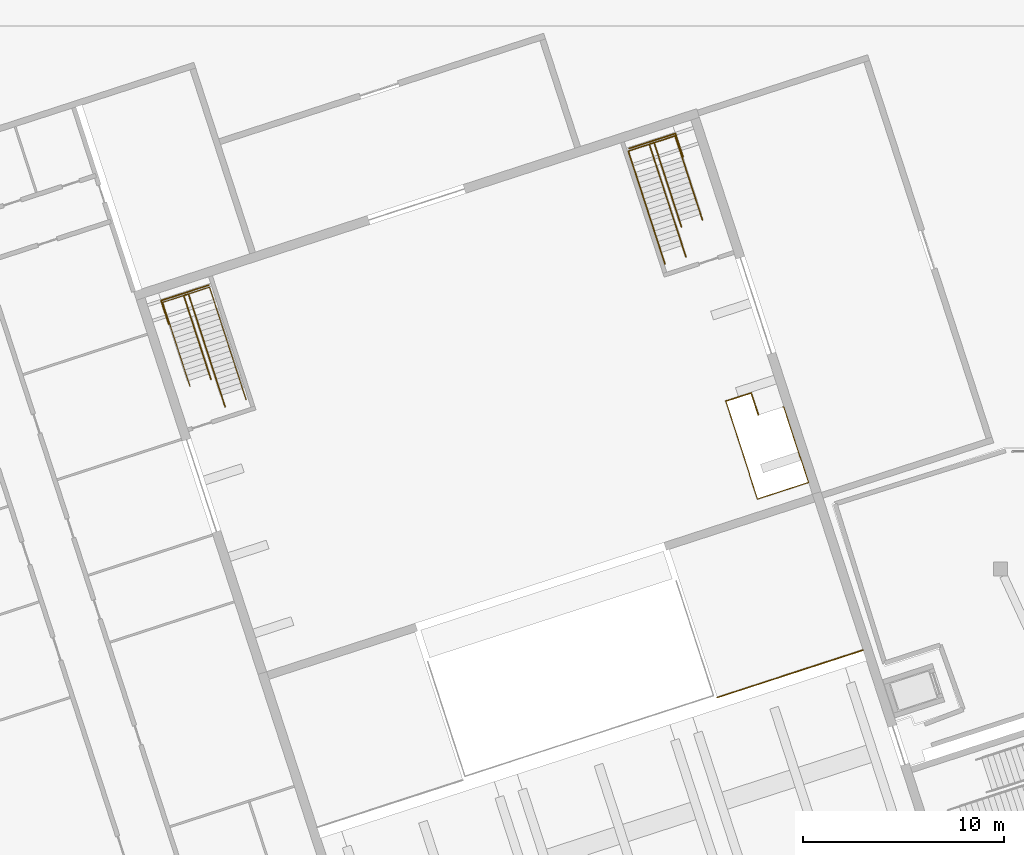
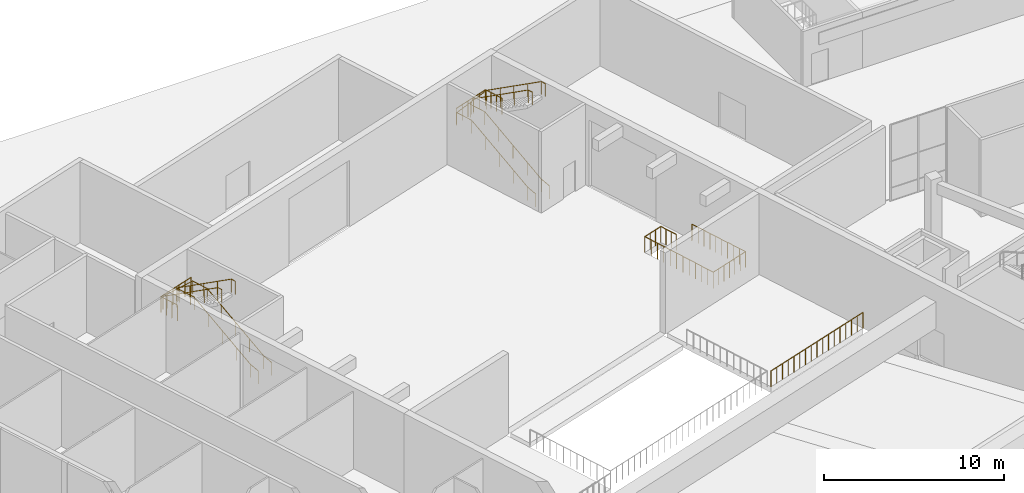
# One storey, part 67 of 72: 11 railings.
"""IFC4 building model written with IfcOpenShell, lengths in metres."""

from ifc_helpers import new_model, si_unit, direction, frame, origin, origin_2d, place, context, subcontext, project, spatial, circle, extrude, material, type_object, element, save


model = new_model("IFC4")

# Units and contexts
model_context = context("Model", 3, precision=1e-05, world=origin(), true_north=direction((0.0, 1.0)))
body_context = subcontext(model_context, "Body", "Model", "MODEL_VIEW")
ifc_project = project(units=[si_unit("LENGTHUNIT", "METRE"), si_unit("AREAUNIT", "SQUARE_METRE"), si_unit("VOLUMEUNIT", "CUBIC_METRE"), si_unit("PLANEANGLEUNIT", "RADIAN"), si_unit("MASSUNIT", "GRAM", prefix="KILO")], contexts=[model_context])

# Site, building, storey
site_placement = place(None, origin())
site = spatial("IfcSite", under=ifc_project, at=site_placement, CompositionType="ELEMENT")
building_placement = place(site_placement, origin())
building = spatial("IfcBuilding", under=site, at=building_placement, Name="Tuart Plaza Theatre", CompositionType="ELEMENT")
storey_placement = place(building_placement, origin())
storey = spatial("IfcBuildingStorey", under=building, at=storey_placement, Name="L00", CompositionType="ELEMENT", Elevation=0.0)

# Railings
ifc_material_1 = material(Name="Steel Grade C350L0", Category="steel")
railing_type_1 = type_object("IfcRailingType", Name="RAILING Guard 1100", PredefinedType="GUARDRAIL", material=ifc_material_1)
railing_1_placement = place(storey_placement, frame((38.620849609375, 88.12109375, 2.75)))
element("IfcRailing", 1, at=railing_1_placement, inside=storey, type_object=railing_type_1, Name="GR50", PredefinedType="GUARDRAIL", context=body_context, shape_type="SweptSolid", body=[
    extrude(circle(Radius=0.02490234375, at=origin_2d()), frame((0.0, 0.0, 1.0751953125), z_axis=(-0.951053482983, -0.309026329793, 0.0), x_axis=(0.309026329793, -0.951053482983, 0.0)), (0.0, 0.0, 1.0), 2.494873046875),
    extrude(circle(Radius=0.02001953125, at=origin_2d()), origin(), (0.0, 0.0, 1.0), 1.050048828125),
    extrude(circle(Radius=0.02001953125, at=origin_2d()), frame((-0.474609375, -0.154296875, 0.0)), (0.0, 0.0, 1.0), 1.050048828125),
    extrude(circle(Radius=0.02001953125, at=origin_2d()), frame((-0.94921875, -0.308349609375, 0.0)), (0.0, 0.0, 1.0), 1.050048828125),
    extrude(circle(Radius=0.02001953125, at=origin_2d()), frame((-1.423583984375, -0.462646484375, 0.0)), (0.0, 0.0, 1.0), 1.050048828125),
    extrude(circle(Radius=0.02001953125, at=origin_2d()), frame((-1.898193359375, -0.61669921875, 0.0)), (0.0, 0.0, 1.0), 1.050048828125),
    extrude(circle(Radius=0.02001953125, at=origin_2d()), frame((-2.372802734375, -0.77099609375, 0.0)), (0.0, 0.0, 1.0), 1.050048828125),
])
railing_2_placement = place(storey_placement, frame((36.248046875, 87.35009765625, 2.75)))
element("IfcRailing", 2, at=railing_2_placement, inside=storey, type_object=railing_type_1, Name="GR51", PredefinedType="GUARDRAIL", context=body_context, shape_type="SweptSolid", body=[
    extrude(circle(Radius=0.02490234375, at=origin_2d()), frame((0.0, 0.0, 1.0751953125), z_axis=(0.309014268544, -0.951057401967, 0.0), x_axis=(0.951057401967, 0.309014268544, 0.0)), (0.0, 0.0, 1.0), 1.230224609375),
    extrude(circle(Radius=0.02001953125, at=origin_2d()), origin(), (0.0, 0.0, 1.0), 1.050048828125),
    extrude(circle(Radius=0.02001953125, at=origin_2d()), frame((0.126708984375, -0.389892578125, 0.0)), (0.0, 0.0, 1.0), 1.050048828125),
    extrude(circle(Radius=0.02001953125, at=origin_2d()), frame((0.25341796875, -0.780029296875, 0.0)), (0.0, 0.0, 1.0), 1.050048828125),
    extrude(circle(Radius=0.02001953125, at=origin_2d()), frame((0.380126953125, -1.169921875, 0.0)), (0.0, 0.0, 1.0), 1.050048828125),
])
railing_3_placement = place(storey_placement, frame((59.53466796875, 94.916259765625, 2.75)))
element("IfcRailing", 3, at=railing_3_placement, inside=storey, type_object=railing_type_1, Name="GR74", PredefinedType="GUARDRAIL", context=body_context, shape_type="SweptSolid", body=[
    extrude(circle(Radius=0.02490234375, at=origin_2d()), frame((0.0, 0.0, 1.0751953125), z_axis=(0.95105704929, 0.309015353981, 0.0), x_axis=(-0.309015353981, 0.95105704929, 0.0)), (0.0, 0.0, 1.0), 2.419921875),
    extrude(circle(Radius=0.02001953125, at=origin_2d()), origin(), (0.0, 0.0, 1.0), 1.050048828125),
    extrude(circle(Radius=0.02001953125, at=origin_2d()), frame((0.460205078125, 0.149658203125, 0.0)), (0.0, 0.0, 1.0), 1.050048828125),
    extrude(circle(Radius=0.02001953125, at=origin_2d()), frame((0.920654296875, 0.299072265625, 0.0)), (0.0, 0.0, 1.0), 1.050048828125),
    extrude(circle(Radius=0.02001953125, at=origin_2d()), frame((1.380859375, 0.44873046875, 0.0)), (0.0, 0.0, 1.0), 1.050048828125),
    extrude(circle(Radius=0.02001953125, at=origin_2d()), frame((1.84130859375, 0.59814453125, 0.0)), (0.0, 0.0, 1.0), 1.050048828125),
    extrude(circle(Radius=0.02001953125, at=origin_2d()), frame((2.301513671875, 0.747802734375, 0.0)), (0.0, 0.0, 1.0), 1.050048828125),
])
railing_4_placement = place(storey_placement, frame((61.836181640625, 95.6640625, 2.75)))
element("IfcRailing", 4, at=railing_4_placement, inside=storey, type_object=railing_type_1, Name="GR75", PredefinedType="GUARDRAIL", context=body_context, shape_type="SweptSolid", body=[
    extrude(circle(Radius=0.02490234375, at=origin_2d()), frame((0.0, 0.0, 1.0751953125), z_axis=(0.309072606719, -0.951038444952, 0.0), x_axis=(0.951038444952, 0.309072606719, 0.0)), (0.0, 0.0, 1.0), 1.22998046875),
    extrude(circle(Radius=0.02001953125, at=origin_2d()), origin(), (0.0, 0.0, 1.0), 1.050048828125),
    extrude(circle(Radius=0.02001953125, at=origin_2d()), frame((0.126708984375, -0.389892578125, 0.0)), (0.0, 0.0, 1.0), 1.050048828125),
    extrude(circle(Radius=0.02001953125, at=origin_2d()), frame((0.25341796875, -0.77978515625, 0.0)), (0.0, 0.0, 1.0), 1.050048828125),
    extrude(circle(Radius=0.02001953125, at=origin_2d()), frame((0.380126953125, -1.169677734375, 0.0)), (0.0, 0.0, 1.0), 1.050048828125),
])
railing_5_placement = place(storey_placement, frame((64.346435546875, 82.34814453125, 0.0)))
element("IfcRailing", 5, at=railing_5_placement, inside=storey, type_object=railing_type_1, Name="GR96", PredefinedType="GUARDRAIL", context=body_context, shape_type="SweptSolid", body=[
    extrude(circle(Radius=0.02490234375, at=origin_2d()), frame((0.0, 0.0, 1.0751953125), z_axis=(0.951069265833, 0.308977752577, 0.0), x_axis=(-0.308977752577, 0.951069265833, 0.0)), (0.0, 0.0, 1.0), 1.3251953125),
    extrude(circle(Radius=0.02490234375, at=origin_2d()), frame((1.26025390625, 0.409423828125, 1.0751953125), z_axis=(0.308799304273, -0.951127220555, 0.0), x_axis=(0.951127220555, 0.308799304273, 0.0)), (0.0, 0.0, 1.0), 1.155029296875),
    extrude(circle(Radius=0.02001953125, at=origin_2d()), origin(), (0.0, 0.0, 1.0), 1.050048828125),
    extrude(circle(Radius=0.02001953125, at=origin_2d()), frame((0.420166015625, 0.136474609375, 0.0)), (0.0, 0.0, 1.0), 1.050048828125),
    extrude(circle(Radius=0.02001953125, at=origin_2d()), frame((0.840087890625, 0.27294921875, 0.0)), (0.0, 0.0, 1.0), 1.050048828125),
    extrude(circle(Radius=0.02001953125, at=origin_2d()), frame((1.26025390625, 0.409423828125, 0.0)), (0.0, 0.0, 1.0), 1.050048828125),
    extrude(circle(Radius=0.02001953125, at=origin_2d()), frame((1.379150390625, 0.043212890625, 0.0)), (0.0, 0.0, 1.0), 1.050048828125),
    extrude(circle(Radius=0.02001953125, at=origin_2d()), frame((1.498046875, -0.322998046875, 0.0)), (0.0, 0.0, 1.0), 1.050048828125),
    extrude(circle(Radius=0.02001953125, at=origin_2d()), frame((1.616943359375, -0.689208984375, 0.0)), (0.0, 0.0, 1.0), 1.050048828125),
])
railing_6_placement = place(storey_placement, frame((67.182373046875, 82.0498046875, 0.0)))
element("IfcRailing", 6, at=railing_6_placement, inside=storey, type_object=railing_type_1, Name="GR97", PredefinedType="GUARDRAIL", context=body_context, shape_type="SweptSolid", body=[
    extrude(circle(Radius=0.02490234375, at=origin_2d()), frame((0.0, 0.0, 1.0751953125), z_axis=(0.950834228174, 0.309700291463, 0.0), x_axis=(-0.309700291463, 0.950834228174, 0.0)), (0.0, 0.0, 1.0), 0.044921875),
    extrude(circle(Radius=0.02490234375, at=origin_2d()), frame((0.042724609375, 0.013916015625, 1.0751953125), z_axis=(0.309033595463, -0.951051122114, 0.0), x_axis=(0.951051122114, 0.309033595463, 0.0)), (0.0, 0.0, 1.0), 2.6298828125),
    extrude(circle(Radius=0.02490234375, at=origin_2d()), frame((0.85546875, -2.4873046875, 1.0751953125), z_axis=(0.950605456491, 0.310401781711, 0.0), x_axis=(-0.310401781711, 0.950605456491, 0.0)), (0.0, 0.0, 1.0), 0.0126953125),
    extrude(circle(Radius=0.02490234375, at=origin_2d()), frame((0.867431640625, -2.4833984375, 1.0751953125), z_axis=(0.308949091736, -0.95107857652, 0.0), x_axis=(0.95107857652, 0.308949091736, 0.0)), (0.0, 0.0, 1.0), 1.329833984375),
    extrude(circle(Radius=0.02490234375, at=origin_2d()), frame((1.2783203125, -3.748291015625, 1.0751953125), z_axis=(-0.951047482505, -0.309044796138, 0.0), x_axis=(0.309044796138, -0.951047482505, 0.0)), (0.0, 0.0, 1.0), 2.6748046875),
    extrude(circle(Radius=0.02490234375, at=origin_2d()), frame((-1.265625, -4.574951171875, 1.0751953125), z_axis=(-0.309115126356, 0.951024625684, 0.0), x_axis=(-0.951024625684, -0.309115126356, 0.0)), (0.0, 0.0, 1.0), 1.330078125),
    extrude(circle(Radius=0.02490234375, at=origin_2d()), frame((-1.6767578125, -3.31005859375, 1.0751953125), z_axis=(0.950605456491, 0.310401781711, 0.0), x_axis=(-0.310401781711, 0.950605456491, 0.0)), (0.0, 0.0, 1.0), 0.0126953125),
    extrude(circle(Radius=0.02490234375, at=origin_2d()), frame((-1.664794921875, -3.30615234375, 1.0751953125), z_axis=(-0.309010329007, 0.951058681979, 0.0), x_axis=(-0.951058681979, -0.309010329007, 0.0)), (0.0, 0.0, 1.0), 3.7900390625),
    extrude(circle(Radius=0.02001953125, at=origin_2d()), origin(), (0.0, 0.0, 1.0), 1.050048828125),
    extrude(circle(Radius=0.02001953125, at=origin_2d()), frame((0.042724609375, 0.013916015625, 0.0)), (0.0, 0.0, 1.0), 1.050048828125),
    extrude(circle(Radius=0.02001953125, at=origin_2d()), frame((0.17822265625, -0.40283203125, 0.0)), (0.0, 0.0, 1.0), 1.050048828125),
    extrude(circle(Radius=0.02001953125, at=origin_2d()), frame((0.313720703125, -0.81982421875, 0.0)), (0.0, 0.0, 1.0), 1.050048828125),
    extrude(circle(Radius=0.02001953125, at=origin_2d()), frame((0.44921875, -1.23681640625, 0.0)), (0.0, 0.0, 1.0), 1.050048828125),
    extrude(circle(Radius=0.02001953125, at=origin_2d()), frame((0.58447265625, -1.653564453125, 0.0)), (0.0, 0.0, 1.0), 1.050048828125),
    extrude(circle(Radius=0.02001953125, at=origin_2d()), frame((0.719970703125, -2.0703125, 0.0)), (0.0, 0.0, 1.0), 1.050048828125),
    extrude(circle(Radius=0.02001953125, at=origin_2d()), frame((0.85546875, -2.4873046875, 0.0)), (0.0, 0.0, 1.0), 1.050048828125),
    extrude(circle(Radius=0.02001953125, at=origin_2d()), frame((0.867431640625, -2.4833984375, 0.0)), (0.0, 0.0, 1.0), 1.050048828125),
    extrude(circle(Radius=0.02001953125, at=origin_2d()), frame((1.00439453125, -2.905029296875, 0.0)), (0.0, 0.0, 1.0), 1.050048828125),
    extrude(circle(Radius=0.02001953125, at=origin_2d()), frame((1.141357421875, -3.32666015625, 0.0)), (0.0, 0.0, 1.0), 1.050048828125),
    extrude(circle(Radius=0.02001953125, at=origin_2d()), frame((1.2783203125, -3.748291015625, 0.0)), (0.0, 0.0, 1.0), 1.050048828125),
    extrude(circle(Radius=0.02001953125, at=origin_2d()), frame((0.854248046875, -3.885986328125, 0.0)), (0.0, 0.0, 1.0), 1.050048828125),
    extrude(circle(Radius=0.02001953125, at=origin_2d()), frame((0.430419921875, -4.02392578125, 0.0)), (0.0, 0.0, 1.0), 1.050048828125),
    extrude(circle(Radius=0.02001953125, at=origin_2d()), frame((0.00634765625, -4.16162109375, 0.0)), (0.0, 0.0, 1.0), 1.050048828125),
    extrude(circle(Radius=0.02001953125, at=origin_2d()), frame((-0.417724609375, -4.29931640625, 0.0)), (0.0, 0.0, 1.0), 1.050048828125),
    extrude(circle(Radius=0.02001953125, at=origin_2d()), frame((-0.841552734375, -4.437255859375, 0.0)), (0.0, 0.0, 1.0), 1.050048828125),
    extrude(circle(Radius=0.02001953125, at=origin_2d()), frame((-1.265625, -4.574951171875, 0.0)), (0.0, 0.0, 1.0), 1.050048828125),
    extrude(circle(Radius=0.02001953125, at=origin_2d()), frame((-1.402587890625, -4.1533203125, 0.0)), (0.0, 0.0, 1.0), 1.050048828125),
    extrude(circle(Radius=0.02001953125, at=origin_2d()), frame((-1.539794921875, -3.731689453125, 0.0)), (0.0, 0.0, 1.0), 1.050048828125),
    extrude(circle(Radius=0.02001953125, at=origin_2d()), frame((-1.6767578125, -3.31005859375, 0.0)), (0.0, 0.0, 1.0), 1.050048828125),
    extrude(circle(Radius=0.02001953125, at=origin_2d()), frame((-1.664794921875, -3.30615234375, 0.0)), (0.0, 0.0, 1.0), 1.050048828125),
    extrude(circle(Radius=0.02001953125, at=origin_2d()), frame((-1.811279296875, -2.85546875, 0.0)), (0.0, 0.0, 1.0), 1.050048828125),
    extrude(circle(Radius=0.02001953125, at=origin_2d()), frame((-1.95751953125, -2.405029296875, 0.0)), (0.0, 0.0, 1.0), 1.050048828125),
    extrude(circle(Radius=0.02001953125, at=origin_2d()), frame((-2.10400390625, -1.95458984375, 0.0)), (0.0, 0.0, 1.0), 1.050048828125),
    extrude(circle(Radius=0.02001953125, at=origin_2d()), frame((-2.25048828125, -1.50390625, 0.0)), (0.0, 0.0, 1.0), 1.050048828125),
    extrude(circle(Radius=0.02001953125, at=origin_2d()), frame((-2.396728515625, -1.05322265625, 0.0)), (0.0, 0.0, 1.0), 1.050048828125),
    extrude(circle(Radius=0.02001953125, at=origin_2d()), frame((-2.543212890625, -0.602783203125, 0.0)), (0.0, 0.0, 1.0), 1.050048828125),
    extrude(circle(Radius=0.02001953125, at=origin_2d()), frame((-2.689453125, -0.15234375, 0.0)), (0.0, 0.0, 1.0), 1.050048828125),
    extrude(circle(Radius=0.02001953125, at=origin_2d()), frame((-2.8359375, 0.29833984375, 0.0)), (0.0, 0.0, 1.0), 1.050048828125),
])
railing_7_placement = place(storey_placement, frame((63.9189453125, 67.6044921875, 0.0)))
element("IfcRailing", 7, at=railing_7_placement, inside=storey, type_object=railing_type_1, Name="GR111", PredefinedType="GUARDRAIL", context=body_context, shape_type="SweptSolid", body=[
    extrude(circle(Radius=0.02490234375, at=origin_2d()), frame((0.0, 0.0, 1.0751953125), z_axis=(0.951060418071, 0.309004985686, 0.0), x_axis=(-0.309004985686, 0.951060418071, 0.0)), (0.0, 0.0, 1.0), 7.625244140625),
    extrude(circle(Radius=0.02001953125, at=origin_2d()), origin(), (0.0, 0.0, 1.0), 1.050048828125),
    extrude(circle(Radius=0.02001953125, at=origin_2d()), frame((0.453125, 0.147216796875, 0.0)), (0.0, 0.0, 1.0), 1.050048828125),
    extrude(circle(Radius=0.02001953125, at=origin_2d()), frame((0.906494140625, 0.29443359375, 0.0)), (0.0, 0.0, 1.0), 1.050048828125),
    extrude(circle(Radius=0.02001953125, at=origin_2d()), frame((1.35986328125, 0.44189453125, 0.0)), (0.0, 0.0, 1.0), 1.050048828125),
    extrude(circle(Radius=0.02001953125, at=origin_2d()), frame((1.81298828125, 0.589111328125, 0.0)), (0.0, 0.0, 1.0), 1.050048828125),
    extrude(circle(Radius=0.02001953125, at=origin_2d()), frame((2.26611328125, 0.736328125, 0.0)), (0.0, 0.0, 1.0), 1.050048828125),
    extrude(circle(Radius=0.02001953125, at=origin_2d()), frame((2.719482421875, 0.883544921875, 0.0)), (0.0, 0.0, 1.0), 1.050048828125),
    extrude(circle(Radius=0.02001953125, at=origin_2d()), frame((3.1728515625, 1.03076171875, 0.0)), (0.0, 0.0, 1.0), 1.050048828125),
    extrude(circle(Radius=0.02001953125, at=origin_2d()), frame((3.6259765625, 1.17822265625, 0.0)), (0.0, 0.0, 1.0), 1.050048828125),
    extrude(circle(Radius=0.02001953125, at=origin_2d()), frame((4.0791015625, 1.325439453125, 0.0)), (0.0, 0.0, 1.0), 1.050048828125),
    extrude(circle(Radius=0.02001953125, at=origin_2d()), frame((4.532470703125, 1.47265625, 0.0)), (0.0, 0.0, 1.0), 1.050048828125),
    extrude(circle(Radius=0.02001953125, at=origin_2d()), frame((4.98583984375, 1.619873046875, 0.0)), (0.0, 0.0, 1.0), 1.050048828125),
    extrude(circle(Radius=0.02001953125, at=origin_2d()), frame((5.43896484375, 1.76708984375, 0.0)), (0.0, 0.0, 1.0), 1.050048828125),
    extrude(circle(Radius=0.02001953125, at=origin_2d()), frame((5.89208984375, 1.914306640625, 0.0)), (0.0, 0.0, 1.0), 1.050048828125),
    extrude(circle(Radius=0.02001953125, at=origin_2d()), frame((6.345458984375, 2.061767578125, 0.0)), (0.0, 0.0, 1.0), 1.050048828125),
    extrude(circle(Radius=0.02001953125, at=origin_2d()), frame((6.798828125, 2.208984375, 0.0)), (0.0, 0.0, 1.0), 1.050048828125),
    extrude(circle(Radius=0.02001953125, at=origin_2d()), frame((7.251953125, 2.356201171875, 0.0)), (0.0, 0.0, 1.0), 1.050048828125),
])
ifc_material_2 = material(Name="Steel Grade C350L0", Category="steel")
railing_type_2 = type_object("IfcRailingType", Name="RAILING Handrail 900", PredefinedType="HANDRAIL", material=ifc_material_2)
railing_8_placement = place(storey_placement, frame((39.436767578125, 82.066650390625, 0.0)))
element("IfcRailing", 8, at=railing_8_placement, inside=storey, type_object=railing_type_2, Name="HR29", PredefinedType="HANDRAIL", context=body_context, shape_type="SweptSolid", body=[
    extrude(circle(Radius=0.0224609375, at=origin_2d()), frame((0.0, 0.0, 0.87744140625), z_axis=(-0.297195786866, 0.914268091702, 0.275297149939), x_axis=(-0.951016131768, -0.309141257546, 0.0)), (0.0, 0.0, 1.0), 0.624267578125),
    extrude(circle(Radius=0.0224609375, at=origin_2d()), frame((-0.185546875, 0.57080078125, 1.04931640625), z_axis=(-0.263356918785, 0.810530953392, 0.523146926705), x_axis=(-0.951056706781, -0.30901640812, 0.0)), (0.0, 0.0, 1.0), 4.92822265625),
    extrude(circle(Radius=0.0224609375, at=origin_2d()), frame((-1.4833984375, 4.565185546875, 3.62744140625), z_axis=(-0.308960600764, 0.951074837842, 0.0), x_axis=(-0.951074837842, -0.308960600764, 0.0)), (0.0, 0.0, 1.0), 1.099853515625),
    extrude(circle(Radius=0.0224609375, at=origin_2d()), frame((-1.8232421875, 5.611328125, 3.62744140625), z_axis=(-0.695615451458, -0.225682220391, 0.682045950865), x_axis=(0.308600224758, -0.951191832008, 0.0)), (0.0, 0.0, 1.0), 0.341796875),
    extrude(circle(Radius=0.0224609375, at=origin_2d()), frame((-2.06103515625, 5.5341796875, 3.860595703125), z_axis=(0.263327749754, -0.810535906545, 0.523153935673), x_axis=(0.951067320073, 0.308983741789, 0.0)), (0.0, 0.0, 1.0), 4.810791015625),
    extrude(circle(Radius=0.0224609375, at=origin_2d()), frame((-0.794189453125, 1.634765625, 6.37744140625), z_axis=(0.309141257546, -0.951016131768, 0.0), x_axis=(0.951016131768, 0.309141257546, 0.0)), (0.0, 0.0, 1.0), 0.300048828125),
    extrude(circle(Radius=0.01513671875, at=origin_2d()), origin(), (0.0, 0.0, 1.0), 0.85498046875),
    extrude(circle(Radius=0.01513671875, at=origin_2d()), frame((-0.185546875, 0.57080078125, 0.171875)), (0.0, 0.0, 1.0), 0.85498046875),
    extrude(circle(Radius=0.01513671875, at=origin_2d()), frame((-0.510009765625, 1.5693359375, 0.81640625)), (0.0, 0.0, 1.0), 0.85498046875),
    extrude(circle(Radius=0.01513671875, at=origin_2d()), frame((-0.83447265625, 2.56787109375, 1.4609375)), (0.0, 0.0, 1.0), 0.85498046875),
    extrude(circle(Radius=0.01513671875, at=origin_2d()), frame((-1.158935546875, 3.566650390625, 2.10546875)), (0.0, 0.0, 1.0), 0.85498046875),
    extrude(circle(Radius=0.01513671875, at=origin_2d()), frame((-1.4833984375, 4.565185546875, 2.75)), (0.0, 0.0, 1.0), 0.85498046875),
    extrude(circle(Radius=0.01513671875, at=origin_2d()), frame((-1.8232421875, 5.611328125, 2.75)), (0.0, 0.0, 1.0), 0.85498046875),
    extrude(circle(Radius=0.01513671875, at=origin_2d()), frame((-2.06103515625, 5.5341796875, 2.983154296875)), (0.0, 0.0, 1.0), 0.85498046875),
    extrude(circle(Radius=0.01513671875, at=origin_2d()), frame((-1.744384765625, 4.559326171875, 3.6123046875)), (0.0, 0.0, 1.0), 0.85498046875),
    extrude(circle(Radius=0.01513671875, at=origin_2d()), frame((-1.427734375, 3.58447265625, 4.24169921875)), (0.0, 0.0, 1.0), 0.85498046875),
    extrude(circle(Radius=0.01513671875, at=origin_2d()), frame((-1.11083984375, 2.609619140625, 4.870849609375)), (0.0, 0.0, 1.0), 0.85498046875),
    extrude(circle(Radius=0.01513671875, at=origin_2d()), frame((-0.794189453125, 1.634765625, 5.5)), (0.0, 0.0, 1.0), 0.85498046875),
    extrude(circle(Radius=0.01513671875, at=origin_2d()), frame((-0.701416015625, 1.349365234375, 5.5)), (0.0, 0.0, 1.0), 0.85498046875),
])
railing_9_placement = place(storey_placement, frame((40.48291015625, 82.40673828125, 0.0)))
element("IfcRailing", 9, at=railing_9_placement, inside=storey, type_object=railing_type_2, Name="HR30", PredefinedType="HANDRAIL", context=body_context, shape_type="SweptSolid", body=[
    extrude(circle(Radius=0.0224609375, at=origin_2d()), frame((0.0, 0.0, 0.87744140625), z_axis=(-0.29730207513, 0.914203881024, 0.275395606436), x_axis=(-0.950977235371, -0.309260889552, 0.0)), (0.0, 0.0, 1.0), 0.6240234375),
    extrude(circle(Radius=0.0224609375, at=origin_2d()), frame((-0.185546875, 0.570556640625, 1.04931640625), z_axis=(-0.263356918785, 0.810530953392, 0.523146926705), x_axis=(-0.951056706781, -0.30901640812, 0.0)), (0.0, 0.0, 1.0), 4.92822265625),
    extrude(circle(Radius=0.0224609375, at=origin_2d()), frame((-1.4833984375, 4.56494140625, 3.62744140625), z_axis=(-0.308960600764, 0.951074837842, 0.0), x_axis=(-0.951074837842, -0.308960600764, 0.0)), (0.0, 0.0, 1.0), 1.099853515625),
    extrude(circle(Radius=0.0224609375, at=origin_2d()), frame((-1.8232421875, 5.611083984375, 3.62744140625), z_axis=(-0.946779916208, -0.307624111501, 0.094737512571), x_axis=(0.309013967595, -0.95105749975, 0.0)), (0.0, 0.0, 1.0), 2.4609375),
    extrude(circle(Radius=0.0224609375, at=origin_2d()), frame((-4.1533203125, 4.85400390625, 3.860595703125), z_axis=(0.263338581414, -0.810518497546, 0.523175454962), x_axis=(0.951061634685, 0.309001241148, 0.0)), (0.0, 0.0, 1.0), 4.810791015625),
    extrude(circle(Radius=0.0224609375, at=origin_2d()), frame((-2.886474609375, 0.954833984375, 6.37744140625), z_axis=(0.309141257546, -0.951016131768, 0.0), x_axis=(0.951016131768, 0.309141257546, 0.0)), (0.0, 0.0, 1.0), 0.300048828125),
    extrude(circle(Radius=0.01513671875, at=origin_2d()), origin(), (0.0, 0.0, 1.0), 0.85498046875),
    extrude(circle(Radius=0.01513671875, at=origin_2d()), frame((-0.185546875, 0.570556640625, 0.171875)), (0.0, 0.0, 1.0), 0.85498046875),
    extrude(circle(Radius=0.01513671875, at=origin_2d()), frame((-0.510009765625, 1.569091796875, 0.81640625)), (0.0, 0.0, 1.0), 0.85498046875),
    extrude(circle(Radius=0.01513671875, at=origin_2d()), frame((-0.83447265625, 2.56787109375, 1.4609375)), (0.0, 0.0, 1.0), 0.85498046875),
    extrude(circle(Radius=0.01513671875, at=origin_2d()), frame((-1.158935546875, 3.56640625, 2.10546875)), (0.0, 0.0, 1.0), 0.85498046875),
    extrude(circle(Radius=0.01513671875, at=origin_2d()), frame((-1.4833984375, 4.56494140625, 2.75)), (0.0, 0.0, 1.0), 0.85498046875),
    extrude(circle(Radius=0.01513671875, at=origin_2d()), frame((-1.8232421875, 5.611083984375, 2.75)), (0.0, 0.0, 1.0), 0.85498046875),
    extrude(circle(Radius=0.01513671875, at=origin_2d()), frame((-2.98828125, 5.232421875, 2.86669921875)), (0.0, 0.0, 1.0), 0.85498046875),
    extrude(circle(Radius=0.01513671875, at=origin_2d()), frame((-4.1533203125, 4.85400390625, 2.983154296875)), (0.0, 0.0, 1.0), 0.85498046875),
    extrude(circle(Radius=0.01513671875, at=origin_2d()), frame((-3.836669921875, 3.879150390625, 3.6123046875)), (0.0, 0.0, 1.0), 0.85498046875),
    extrude(circle(Radius=0.01513671875, at=origin_2d()), frame((-3.52001953125, 2.904296875, 4.24169921875)), (0.0, 0.0, 1.0), 0.85498046875),
    extrude(circle(Radius=0.01513671875, at=origin_2d()), frame((-3.203125, 1.9296875, 4.870849609375)), (0.0, 0.0, 1.0), 0.85498046875),
    extrude(circle(Radius=0.01513671875, at=origin_2d()), frame((-2.886474609375, 0.954833984375, 5.5)), (0.0, 0.0, 1.0), 0.85498046875),
    extrude(circle(Radius=0.01513671875, at=origin_2d()), frame((-2.793701171875, 0.66943359375, 5.5)), (0.0, 0.0, 1.0), 0.85498046875),
])
railing_10_placement = place(storey_placement, frame((62.36181640625, 89.515625, 0.0)))
element("IfcRailing", 10, at=railing_10_placement, inside=storey, type_object=railing_type_2, Name="HR41", PredefinedType="HANDRAIL", context=body_context, shape_type="SweptSolid", body=[
    extrude(circle(Radius=0.0224609375, at=origin_2d()), frame((0.0, 0.0, 0.87744140625), z_axis=(-0.296945402429, 0.914310152144, 0.275427619644), x_axis=(-0.951096855055, -0.308892816854, 0.0)), (0.0, 0.0, 1.0), 0.6240234375),
    extrude(circle(Radius=0.0224609375, at=origin_2d()), frame((-0.185302734375, 0.570556640625, 1.04931640625), z_axis=(-0.263346344251, 0.810547946696, 0.52312592086), x_axis=(-0.951062257173, -0.308999325213, 0.0)), (0.0, 0.0, 1.0), 4.92822265625),
    extrude(circle(Radius=0.0224609375, at=origin_2d()), frame((-1.483154296875, 4.565185546875, 3.62744140625), z_axis=(-0.308960600764, 0.951074837842, 0.0), x_axis=(-0.951074837842, -0.308960600764, 0.0)), (0.0, 0.0, 1.0), 1.099853515625),
    extrude(circle(Radius=0.0224609375, at=origin_2d()), frame((-1.822998046875, 5.611328125, 3.62744140625), z_axis=(0.695246572483, 0.225794364753, 0.682384868162), x_axis=(-0.30888714147, 0.951098698261, 0.0)), (0.0, 0.0, 1.0), 0.341796875),
    extrude(circle(Radius=0.0224609375, at=origin_2d()), frame((-1.58544921875, 5.6884765625, 3.860595703125), z_axis=(0.263374977215, -0.810525074387, 0.523146944143), x_axis=(0.951049820449, 0.30903760131, 0.0)), (0.0, 0.0, 1.0), 4.81103515625),
    extrude(circle(Radius=0.0224609375, at=origin_2d()), frame((-0.318359375, 1.7890625, 6.37744140625), z_axis=(0.309380609282, -0.950938293792, 0.0), x_axis=(0.950938293792, 0.309380609282, 0.0)), (0.0, 0.0, 1.0), 0.2998046875),
    extrude(circle(Radius=0.01513671875, at=origin_2d()), origin(), (0.0, 0.0, 1.0), 0.85498046875),
    extrude(circle(Radius=0.01513671875, at=origin_2d()), frame((-0.185302734375, 0.570556640625, 0.171875)), (0.0, 0.0, 1.0), 0.85498046875),
    extrude(circle(Radius=0.01513671875, at=origin_2d()), frame((-0.509765625, 1.5693359375, 0.81640625)), (0.0, 0.0, 1.0), 0.85498046875),
    extrude(circle(Radius=0.01513671875, at=origin_2d()), frame((-0.834228515625, 2.56787109375, 1.4609375)), (0.0, 0.0, 1.0), 0.85498046875),
    extrude(circle(Radius=0.01513671875, at=origin_2d()), frame((-1.15869140625, 3.56640625, 2.10546875)), (0.0, 0.0, 1.0), 0.85498046875),
    extrude(circle(Radius=0.01513671875, at=origin_2d()), frame((-1.483154296875, 4.565185546875, 2.75)), (0.0, 0.0, 1.0), 0.85498046875),
    extrude(circle(Radius=0.01513671875, at=origin_2d()), frame((-1.822998046875, 5.611328125, 2.75)), (0.0, 0.0, 1.0), 0.85498046875),
    extrude(circle(Radius=0.01513671875, at=origin_2d()), frame((-1.58544921875, 5.6884765625, 2.983154296875)), (0.0, 0.0, 1.0), 0.85498046875),
    extrude(circle(Radius=0.01513671875, at=origin_2d()), frame((-1.2685546875, 4.713623046875, 3.6123046875)), (0.0, 0.0, 1.0), 0.85498046875),
    extrude(circle(Radius=0.01513671875, at=origin_2d()), frame((-0.951904296875, 3.73876953125, 4.24169921875)), (0.0, 0.0, 1.0), 0.85498046875),
    extrude(circle(Radius=0.01513671875, at=origin_2d()), frame((-0.63525390625, 2.763916015625, 4.870849609375)), (0.0, 0.0, 1.0), 0.85498046875),
    extrude(circle(Radius=0.01513671875, at=origin_2d()), frame((-0.318359375, 1.7890625, 5.5)), (0.0, 0.0, 1.0), 0.85498046875),
    extrude(circle(Radius=0.01513671875, at=origin_2d()), frame((-0.2255859375, 1.50390625, 5.5)), (0.0, 0.0, 1.0), 0.85498046875),
])
railing_11_placement = place(storey_placement, frame((61.315673828125, 89.17578125, 0.0)))
element("IfcRailing", 11, at=railing_11_placement, inside=storey, type_object=railing_type_2, Name="HR42", PredefinedType="HANDRAIL", context=body_context, shape_type="SweptSolid", body=[
    extrude(circle(Radius=0.0224609375, at=origin_2d()), frame((0.0, 0.0, 0.87744140625), z_axis=(-0.296945402429, 0.914310152144, 0.275427619644), x_axis=(-0.951096855055, -0.308892816854, 0.0)), (0.0, 0.0, 1.0), 0.6240234375),
    extrude(circle(Radius=0.0224609375, at=origin_2d()), frame((-0.185302734375, 0.570556640625, 1.04931640625), z_axis=(-0.263356918785, 0.810530953392, 0.523146926705), x_axis=(-0.951056706781, -0.30901640812, 0.0)), (0.0, 0.0, 1.0), 4.92822265625),
    extrude(circle(Radius=0.0224609375, at=origin_2d()), frame((-1.483154296875, 4.56494140625, 3.62744140625), z_axis=(-0.309161347536, 0.951009600998, 0.0), x_axis=(-0.951009600998, -0.309161347536, 0.0)), (0.0, 0.0, 1.0), 1.10009765625),
    extrude(circle(Radius=0.0224609375, at=origin_2d()), frame((-1.8232421875, 5.611083984375, 3.62744140625), z_axis=(0.946779916208, 0.307624111501, 0.094737512571), x_axis=(-0.309013967595, 0.95105749975, 0.0)), (0.0, 0.0, 1.0), 2.4609375),
    extrude(circle(Radius=0.0224609375, at=origin_2d()), frame((0.5068359375, 6.3681640625, 3.860595703125), z_axis=(0.263385810528, -0.810507664729, 0.523168462569), x_axis=(0.951044133184, 0.309055103076, 0.0)), (0.0, 0.0, 1.0), 4.810791015625),
    extrude(circle(Radius=0.0224609375, at=origin_2d()), frame((1.77392578125, 2.468994140625, 6.37744140625), z_axis=(0.309141257546, -0.951016131768, 0.0), x_axis=(0.951016131768, 0.309141257546, 0.0)), (0.0, 0.0, 1.0), 0.300048828125),
    extrude(circle(Radius=0.01513671875, at=origin_2d()), origin(), (0.0, 0.0, 1.0), 0.85498046875),
    extrude(circle(Radius=0.01513671875, at=origin_2d()), frame((-0.185302734375, 0.570556640625, 0.171875)), (0.0, 0.0, 1.0), 0.85498046875),
    extrude(circle(Radius=0.01513671875, at=origin_2d()), frame((-0.509765625, 1.569091796875, 0.81640625)), (0.0, 0.0, 1.0), 0.85498046875),
    extrude(circle(Radius=0.01513671875, at=origin_2d()), frame((-0.834228515625, 2.56787109375, 1.4609375)), (0.0, 0.0, 1.0), 0.85498046875),
    extrude(circle(Radius=0.01513671875, at=origin_2d()), frame((-1.15869140625, 3.56640625, 2.10546875)), (0.0, 0.0, 1.0), 0.85498046875),
    extrude(circle(Radius=0.01513671875, at=origin_2d()), frame((-1.483154296875, 4.56494140625, 2.75)), (0.0, 0.0, 1.0), 0.85498046875),
    extrude(circle(Radius=0.01513671875, at=origin_2d()), frame((-1.8232421875, 5.611083984375, 2.75)), (0.0, 0.0, 1.0), 0.85498046875),
    extrude(circle(Radius=0.01513671875, at=origin_2d()), frame((-0.658203125, 5.98974609375, 2.86669921875)), (0.0, 0.0, 1.0), 0.85498046875),
    extrude(circle(Radius=0.01513671875, at=origin_2d()), frame((0.5068359375, 6.3681640625, 2.983154296875)), (0.0, 0.0, 1.0), 0.85498046875),
    extrude(circle(Radius=0.01513671875, at=origin_2d()), frame((0.82373046875, 5.393310546875, 3.6123046875)), (0.0, 0.0, 1.0), 0.85498046875),
    extrude(circle(Radius=0.01513671875, at=origin_2d()), frame((1.140380859375, 4.41845703125, 4.24169921875)), (0.0, 0.0, 1.0), 0.85498046875),
    extrude(circle(Radius=0.01513671875, at=origin_2d()), frame((1.45703125, 3.44384765625, 4.870849609375)), (0.0, 0.0, 1.0), 0.85498046875),
    extrude(circle(Radius=0.01513671875, at=origin_2d()), frame((1.77392578125, 2.468994140625, 5.5)), (0.0, 0.0, 1.0), 0.85498046875),
    extrude(circle(Radius=0.01513671875, at=origin_2d()), frame((1.86669921875, 2.18359375, 5.5)), (0.0, 0.0, 1.0), 0.85498046875),
])

save(model, "model.ifc")
